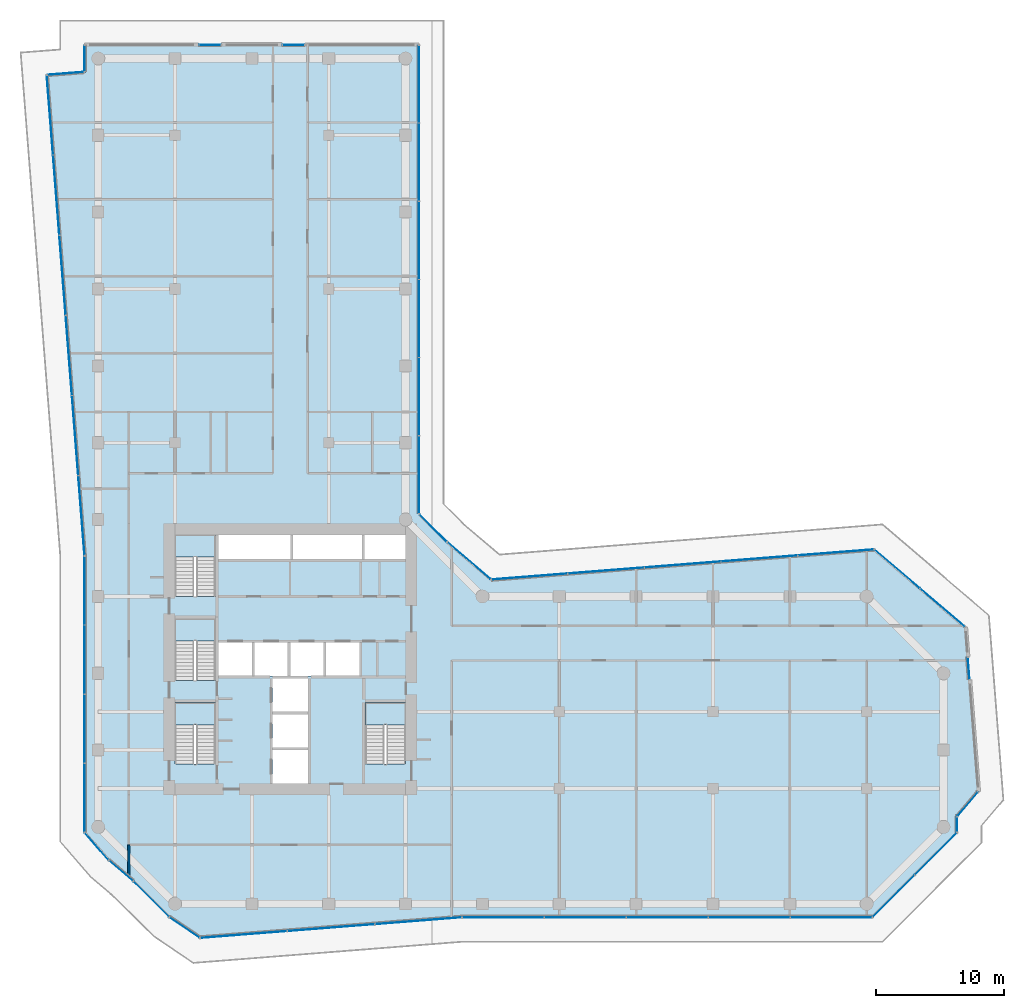
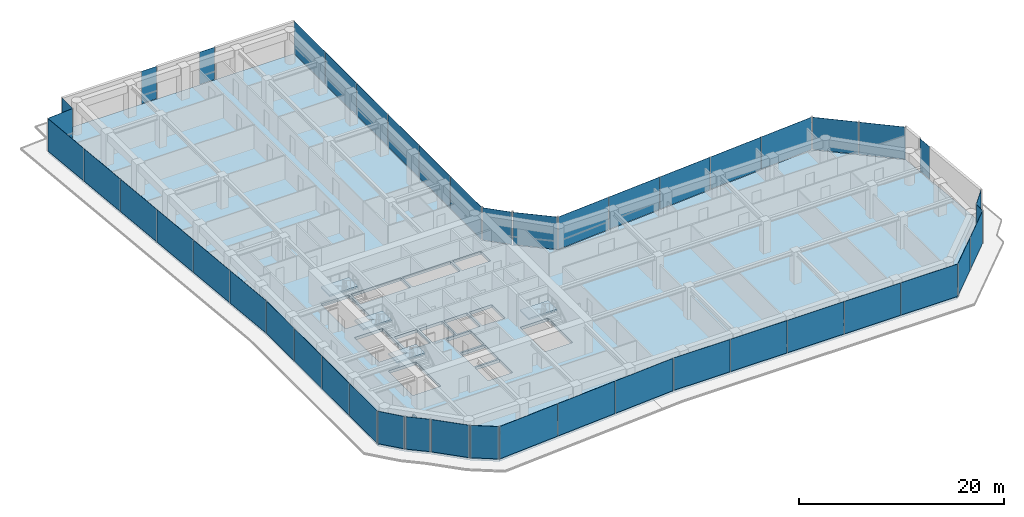
# One storey, part 21 of 28: 46 plates, 5 slabs, 1 wall, 25 elements without a shape of their own.
"""IFC4 building model written with IfcOpenShell, lengths in metres."""

import ifcopenshell
import ifcopenshell.guid

model = None  # the IFC model being written
_history = None  # IfcOwnerHistory: only IFC2X3 demands one
_inside = {}  # id of a spatial element -> (the spatial element, [elements in it])
_under = {}  # id of a project, library or spatial element -> (it, [spatial elements below it])
_declared = {}  # id of a project -> (the project, [libraries it declares])
_typed = {}  # id of a type object -> (the type object, [elements of that type])
_made_of = {}  # id of a material, layer set ... -> (it, [elements and type objects made of it])


def new_model(schema):
    """Start an empty IFC model of exactly this schema.

    Asked for "IFC4X3", IfcOpenShell would pick the latest addendum, in which some entities
    have other attributes; the version numbers below select the first issue.
    IFC2X3 requires an IfcOwnerHistory on every rooted entity: one is made here for all.
    """
    global model, _history
    if schema == "IFC4X3":
        model = ifcopenshell.file(schema_version=(4, 3, 0, 0))
    else:
        model = ifcopenshell.file(schema=schema)
    _inside.clear()
    _under.clear()
    _declared.clear()
    _typed.clear()
    _made_of.clear()
    _history = None
    if model.schema == "IFC2X3":
        org = make("IfcOrganization", Name="unknown")
        user = make(
            "IfcPersonAndOrganization",
            ThePerson=make("IfcPerson", FamilyName="unknown"),
            TheOrganization=org,
        )
        app = make(
            "IfcApplication",
            ApplicationDeveloper=org,
            Version="unknown",
            ApplicationFullName="unknown",
            ApplicationIdentifier="unknown",
        )
        _history = make(
            "IfcOwnerHistory",
            OwningUser=user,
            OwningApplication=app,
            ChangeAction="ADDED",
            CreationDate=0,
        )
    return model


def make(cls, **values):
    """One entity of the class cls with the attributes given. An attribute that is None is left unset."""
    return model.create_entity(
        cls, **{name: value for name, value in values.items() if value is not None}
    )


def rooted(cls, **values):
    """An entity with a GlobalId (a new one), such as an element, a storey or a relation."""
    return make(cls, GlobalId=ifcopenshell.guid.new(), OwnerHistory=_history, **values)


def si_unit(unit_type, name, prefix=None):
    """IfcSIUnit, for example si_unit("LENGTHUNIT", "METRE", prefix="MILLI")."""
    return make("IfcSIUnit", UnitType=unit_type, Prefix=prefix, Name=name)


def assignment(units):
    """IfcUnitAssignment: the units of a project."""
    return None if units is None else make("IfcUnitAssignment", Units=units)


def point(xyz):
    """IfcCartesianPoint."""
    return None if xyz is None else make("IfcCartesianPoint", Coordinates=xyz)


def direction(xyz):
    """IfcDirection."""
    return None if xyz is None else make("IfcDirection", DirectionRatios=xyz)


def frame(location, z_axis=None, x_axis=None):
    """IfcAxis2Placement3D, a coordinate frame: its origin and axes. An axis left out is left unset."""
    return make(
        "IfcAxis2Placement3D",
        Location=point(location),
        Axis=direction(z_axis),
        RefDirection=direction(x_axis),
    )


def frame_2d(location, x_axis=None):
    """IfcAxis2Placement2D, a coordinate frame in the plane: its origin and x axis."""
    return make(
        "IfcAxis2Placement2D", Location=point(location), RefDirection=direction(x_axis)
    )


def origin():
    """The frame at (0, 0, 0) with its axes left unset."""
    return frame((0.0, 0.0, 0.0))


def origin_2d():
    """The frame at (0, 0) in the plane with its x axis left unset."""
    return frame_2d((0.0, 0.0))


def place(relative_to, where):
    """IfcLocalPlacement: puts the frame where relative to a parent placement (None: the world)."""
    return make(
        "IfcLocalPlacement", PlacementRelTo=relative_to, RelativePlacement=where
    )


def context(
    kind, dimensions, precision=None, world=None, true_north=None, identifier=None
):
    """IfcGeometricRepresentationContext, for example the 3D "Model" context."""
    return make(
        "IfcGeometricRepresentationContext",
        ContextIdentifier=identifier,
        ContextType=kind,
        CoordinateSpaceDimension=dimensions,
        Precision=precision,
        WorldCoordinateSystem=world,
        TrueNorth=true_north,
    )


def subcontext(parent, identifier, kind, view, scale=None):
    """IfcGeometricRepresentationSubContext, for example "Body" below "Model"."""
    return make(
        "IfcGeometricRepresentationSubContext",
        ContextIdentifier=identifier,
        ContextType=kind,
        ParentContext=parent,
        TargetScale=scale,
        TargetView=view,
    )


def project(units=None, contexts=None):
    """IfcProject with its units and contexts."""
    return rooted(
        "IfcProject",
        Name="project",
        RepresentationContexts=contexts,
        UnitsInContext=assignment(units),
    )


def spatial(cls, under=None, at=None, **own):
    """A site, building, storey or space (cls), placed at a placement, below another one or the project."""
    s = rooted(cls, ObjectPlacement=at, **own)
    if under is not None:
        _under.setdefault(under.id(), (under, []))[1].append(s)
    return s


def polyline(points):
    """IfcPolyline through the points."""
    return make("IfcPolyline", Points=[point(p) for p in points])


def profile(cls, at=None, kind="AREA", **sizes):
    """A parametric profile (cls). Its sizes go by their IFC names, for example OverallWidth=200.0."""
    return make(cls, ProfileType=kind, Position=at, **sizes)


def rectangle(**sizes):
    """IfcRectangleProfileDef."""
    return profile("IfcRectangleProfileDef", **sizes)


def outline(outer, holes=None, kind="AREA"):
    """IfcArbitraryClosedProfileDef: a profile drawn as a closed curve; with holes, ...WithVoids."""
    if holes is None:
        return make("IfcArbitraryClosedProfileDef", ProfileType=kind, OuterCurve=outer)
    return make(
        "IfcArbitraryProfileDefWithVoids",
        ProfileType=kind,
        OuterCurve=outer,
        InnerCurves=holes,
    )


def extrude(swept, where, along, depth):
    """IfcExtrudedAreaSolid: the profile swept, set in the frame where, extruded along a direction by depth."""
    return make(
        "IfcExtrudedAreaSolid",
        SweptArea=swept,
        Position=where,
        ExtrudedDirection=direction(along),
        Depth=depth,
    )


def shape(context_of_items, identifier, shape_type, items):
    """IfcShapeRepresentation: the items that make up one representation, for example the "Body"."""
    return make(
        "IfcShapeRepresentation",
        ContextOfItems=context_of_items,
        RepresentationIdentifier=identifier,
        RepresentationType=shape_type,
        Items=items,
    )


def material(Name=None, Category=None):
    """IfcMaterial."""
    return make("IfcMaterial", Name=Name, Category=Category)


def layer(
    of_material, thickness, ventilated=None, Name=None, Category=None, Priority=None
):
    """IfcMaterialLayer: one layer of a wall or slab, of a material (None: an air gap)."""
    return make(
        "IfcMaterialLayer",
        Material=of_material,
        LayerThickness=thickness,
        IsVentilated=ventilated,
        Name=Name,
        Category=Category,
        Priority=Priority,
    )


def layer_set(layers, Name=None):
    """IfcMaterialLayerSet."""
    return make("IfcMaterialLayerSet", MaterialLayers=layers, LayerSetName=Name)


def made_of(thing, what):
    """Note that an element or type object is made of a material, layer set ...; save() writes the relation."""
    if what is not None:
        _made_of.setdefault(what.id(), (what, []))[1].append(thing)
    return thing


def type_object(cls, material=None, **own):
    """A type object (cls), such as IfcWallType, which elements share."""
    return made_of(rooted(cls, **own), material)


def element(
    cls,
    number,
    at=None,
    inside=None,
    cuts=None,
    type_object=None,
    material=None,
    context=None,
    identifier="Body",
    shape_type=None,
    held_by="IfcProductDefinitionShape",
    body=None,
    shapes=None,
    **own,
):
    """One element of the class cls, such as IfcWall. Its Tag is "e" and its number.

    at: its placement. inside: the storey or other place that contains it. cuts: it is an
    opening in that element (IfcRelVoidsElement). A single representation is given by context,
    identifier, shape_type and body (its items); several are given by shapes. held_by: the class
    of the entity that holds the representations. save() writes the other relations.
    """
    e = rooted(cls, Tag="e%d" % number, ObjectPlacement=at, **own)
    if body is not None:
        shapes = [shape(context, identifier, shape_type, body)]
    if shapes is not None:
        e.Representation = make(held_by, Representations=shapes)
    if inside is not None:
        _inside.setdefault(inside.id(), (inside, []))[1].append(e)
    if cuts is not None:
        rooted(
            "IfcRelVoidsElement", RelatingBuildingElement=cuts, RelatedOpeningElement=e
        )
    if type_object is not None:
        _typed.setdefault(type_object.id(), (type_object, []))[1].append(e)
    return made_of(e, material)


def aggregate(whole, parts):
    """IfcRelAggregates: a whole, such as a stair, and the parts it consists of."""
    return rooted("IfcRelAggregates", RelatingObject=whole, RelatedObjects=parts)


def save(model, path):
    """Write the relations noted so far, then the file.

    IfcRelAggregates (storeys below a building ...), IfcRelContainedInSpatialStructure (elements
    in a storey), IfcRelDefinesByType, IfcRelAssociatesMaterial and IfcRelDeclares: one each for
    every whole, place, type object, material and project.
    """
    for whole, parts in _under.values():
        aggregate(whole, parts)
    for where, things in _inside.values():
        rooted(
            "IfcRelContainedInSpatialStructure",
            RelatedElements=things,
            RelatingStructure=where,
        )
    for kind, things in _typed.values():
        rooted("IfcRelDefinesByType", RelatedObjects=things, RelatingType=kind)
    for what, things in _made_of.values():
        rooted("IfcRelAssociatesMaterial", RelatedObjects=things, RelatingMaterial=what)
    for by, libraries in _declared.values():
        rooted("IfcRelDeclares", RelatingContext=by, RelatedDefinitions=libraries)
    model.write(path)


model = new_model("IFC4")

# Units and contexts
model_context = context("Model", 3, precision=1e-05, world=origin(), true_north=direction((0.0, 1.0)))
body_context = subcontext(model_context, "Body", "Model", "MODEL_VIEW")
ifc_project = project(units=[si_unit("LENGTHUNIT", "METRE"), si_unit("AREAUNIT", "SQUARE_METRE"), si_unit("VOLUMEUNIT", "CUBIC_METRE"), si_unit("PLANEANGLEUNIT", "RADIAN"), si_unit("MASSUNIT", "GRAM", prefix="KILO")], contexts=[model_context])

# Site, building, storey
site_placement = place(None, origin())
site = spatial("IfcSite", under=ifc_project, at=site_placement, CompositionType="ELEMENT")
building_placement = place(site_placement, origin())
building = spatial("IfcBuilding", under=site, at=building_placement, Name="Welwitschia Terrace Campus", CompositionType="ELEMENT")
storey_placement = place(building_placement, frame((0.0, 0.0, 71.0)))
storey = spatial("IfcBuildingStorey", under=building, at=storey_placement, Name="L16", CompositionType="ELEMENT", Elevation=71.0)

# Curtain wall, plate
ifc_material_1 = material(Name="Bronze anodised aluminium", Category="aluminium")
ifc_layer_1 = layer(ifc_material_1, 0.1201171875)
ifc_layer_set_1 = layer_set([ifc_layer_1], Name="Bronze anodised aluminium")
curtain_wall_type = type_object("IfcCurtainWallType", Name="Curtain wall CW2 tower 6000", PredefinedType="NOTDEFINED", material=ifc_layer_set_1)
curtain_wall_1_placement = place(storey_placement, origin())
curtain_wall_1 = element("IfcCurtainWall", 1, at=curtain_wall_1_placement, inside=storey, type_object=curtain_wall_type, Name="CW L16.0.0", PredefinedType="NOTDEFINED")
ifc_material_2 = material(Name="Tinted bronze-grey glass", Category="glass")
ifc_layer_2 = layer(ifc_material_2, 0.028076171875)
ifc_layer_set_2 = layer_set([ifc_layer_2], Name="Tinted bronze-grey glass")
plate_type = type_object("IfcPlateType", Name="Glass panel 28 tinted", PredefinedType="CURTAIN_PANEL", material=ifc_layer_set_2)
plate_1_placement = place(storey_placement, frame((-0.115478515625, 0.480224609375, 0.0), z_axis=(0.0, 0.0, 1.0), x_axis=(0.6562447971, -0.754548054321, 0.0)))
plate_1 = element("IfcPlate", 2, at=plate_1_placement, type_object=plate_type, Name="Panel L16.0.0.0", PredefinedType="CURTAIN_PANEL", context=body_context, shape_type="SweptSolid", body=[
    extrude(rectangle(XDim=2.752685546875, YDim=0.028076171875, at=origin_2d()), origin(), (0.0, 0.0, 1.0), 3.85009765625),
])
aggregate(curtain_wall_1, [plate_1])

curtain_wall_2_placement = place(storey_placement, origin())
curtain_wall_2 = element("IfcCurtainWall", 3, at=curtain_wall_2_placement, inside=storey, type_object=curtain_wall_type, Name="CW L16.1.0", PredefinedType="NOTDEFINED")
plate_2_placement = place(storey_placement, frame((1.786865234375, -1.423095703125, 0.0), z_axis=(0.0, 0.0, 1.0), x_axis=(0.7604059656, -0.64944804833, 0.0)))
plate_2 = element("IfcPlate", 4, at=plate_2_placement, type_object=plate_type, Name="Panel L16.1.0.0", PredefinedType="CURTAIN_PANEL", context=body_context, shape_type="SweptSolid", body=[
    extrude(rectangle(XDim=2.404052734375, YDim=0.028076171875, at=origin_2d()), origin(), (0.0, 0.0, 1.0), 3.85009765625),
])
aggregate(curtain_wall_2, [plate_2])

curtain_wall_3_placement = place(storey_placement, origin())
curtain_wall_3 = element("IfcCurtainWall", 5, at=curtain_wall_3_placement, inside=storey, type_object=curtain_wall_type, Name="CW L16.2.0", PredefinedType="NOTDEFINED")
plate_3_placement = place(storey_placement, frame((4.1474609375, -3.643798828125, 0.0), z_axis=(0.0, 0.0, 1.0), x_axis=(0.707106781187, -0.707106781187, 0.0)))
plate_3 = element("IfcPlate", 6, at=plate_3_placement, type_object=plate_type, Name="Panel L16.2.0.0", PredefinedType="CURTAIN_PANEL", context=body_context, shape_type="SweptSolid", body=[
    extrude(rectangle(XDim=3.8427734375, YDim=0.028076171875, at=origin_2d()), origin(), (0.0, 0.0, 1.0), 3.85009765625),
])
aggregate(curtain_wall_3, [plate_3])

curtain_wall_4_placement = place(storey_placement, origin())
curtain_wall_4 = element("IfcCurtainWall", 7, at=curtain_wall_4_placement, inside=storey, type_object=curtain_wall_type, Name="CW L16.3.0", PredefinedType="NOTDEFINED")
plate_4_placement = place(storey_placement, frame((6.741455078125, -5.857666015625, 0.0), z_axis=(0.0, 0.0, 1.0), x_axis=(0.826429805713, -0.56303976434, 0.0)))
plate_4 = element("IfcPlate", 8, at=plate_4_placement, type_object=plate_type, Name="Panel L16.3.0.0", PredefinedType="CURTAIN_PANEL", context=body_context, shape_type="SweptSolid", body=[
    extrude(rectangle(XDim=2.76708984375, YDim=0.028076171875, at=origin_2d()), origin(), (0.0, 0.0, 1.0), 3.85009765625),
])
aggregate(curtain_wall_4, [plate_4])

# Curtain wall, plates
curtain_wall_5_placement = place(storey_placement, origin())
curtain_wall_5 = element("IfcCurtainWall", 9, at=curtain_wall_5_placement, inside=storey, type_object=curtain_wall_type, Name="CW L16.4.0", PredefinedType="NOTDEFINED")
plate_5_placement = place(storey_placement, frame((11.364013671875, -6.400390625, 0.0), z_axis=(0.0, 0.0, 1.0), x_axis=(0.996917333733, 0.078459095728, 0.0)))
plate_5 = element("IfcPlate", 10, at=plate_5_placement, type_object=plate_type, Name="Panel L16.4.0.0", PredefinedType="CURTAIN_PANEL", context=body_context, shape_type="SweptSolid", body=[
    extrude(rectangle(XDim=6.760009765625, YDim=0.028076171875, at=origin_2d()), origin(), (0.0, 0.0, 1.0), 3.85009765625),
])
plate_6_placement = place(storey_placement, frame((18.177978515625, -5.8642578125, 0.0), z_axis=(0.0, 0.0, 1.0), x_axis=(0.996917333733, 0.078459095728, 0.0)))
plate_6 = element("IfcPlate", 11, at=plate_6_placement, type_object=plate_type, Name="Panel L16.4.0.1", PredefinedType="CURTAIN_PANEL", context=body_context, shape_type="SweptSolid", body=[
    extrude(rectangle(XDim=6.7900390625, YDim=0.028076171875, at=origin_2d()), origin(), (0.0, 0.0, 1.0), 3.85009765625),
])
plate_7_placement = place(storey_placement, frame((24.991943359375, -5.327880859375, 0.0), z_axis=(0.0, 0.0, 1.0), x_axis=(0.996917333733, 0.078459095728, 0.0)))
plate_7 = element("IfcPlate", 12, at=plate_7_placement, type_object=plate_type, Name="Panel L16.4.0.2", PredefinedType="CURTAIN_PANEL", context=body_context, shape_type="SweptSolid", body=[
    extrude(rectangle(XDim=6.760009765625, YDim=0.028076171875, at=origin_2d()), origin(), (0.0, 0.0, 1.0), 3.85009765625),
])
aggregate(curtain_wall_5, [plate_5, plate_6, plate_7])

curtain_wall_6_placement = place(storey_placement, origin())
curtain_wall_6 = element("IfcCurtainWall", 13, at=curtain_wall_6_placement, inside=storey, type_object=curtain_wall_type, Name="CW L16.5.0", PredefinedType="NOTDEFINED")
plate_8_placement = place(storey_placement, frame((31.63818359375, -5.05810546875, 0.0), z_axis=(0.0, 0.0, 1.0), x_axis=(1.0, 0.0, 0.0)))
plate_8 = element("IfcPlate", 14, at=plate_8_placement, type_object=plate_type, Name="Panel L16.5.0.0", PredefinedType="CURTAIN_PANEL", context=body_context, shape_type="SweptSolid", body=[
    extrude(rectangle(XDim=6.3134765625, YDim=0.028076171875, at=origin_2d()), origin(), (0.0, 0.0, 1.0), 3.85009765625),
])
plate_9_placement = place(storey_placement, frame((38.0263671875, -5.05810546875, 0.0), z_axis=(0.0, 0.0, 1.0), x_axis=(1.0, 0.0, 0.0)))
plate_9 = element("IfcPlate", 15, at=plate_9_placement, type_object=plate_type, Name="Panel L16.5.0.1", PredefinedType="CURTAIN_PANEL", context=body_context, shape_type="SweptSolid", body=[
    extrude(rectangle(XDim=6.34326171875, YDim=0.028076171875, at=origin_2d()), origin(), (0.0, 0.0, 1.0), 3.85009765625),
])
plate_10_placement = place(storey_placement, frame((44.429931640625, -5.05810546875, 0.0), z_axis=(0.0, 0.0, 1.0), x_axis=(1.0, 0.0, 0.0)))
plate_10 = element("IfcPlate", 16, at=plate_10_placement, type_object=plate_type, Name="Panel L16.5.0.2", PredefinedType="CURTAIN_PANEL", context=body_context, shape_type="SweptSolid", body=[
    extrude(rectangle(XDim=6.34326171875, YDim=0.028076171875, at=origin_2d()), origin(), (0.0, 0.0, 1.0), 3.85009765625),
])
plate_11_placement = place(storey_placement, frame((50.833251953125, -5.05810546875, 0.0), z_axis=(0.0, 0.0, 1.0), x_axis=(1.0, 0.0, 0.0)))
plate_11 = element("IfcPlate", 17, at=plate_11_placement, type_object=plate_type, Name="Panel L16.5.0.3", PredefinedType="CURTAIN_PANEL", context=body_context, shape_type="SweptSolid", body=[
    extrude(rectangle(XDim=6.34326171875, YDim=0.028076171875, at=origin_2d()), origin(), (0.0, 0.0, 1.0), 3.85009765625),
])
plate_12_placement = place(storey_placement, frame((57.221435546875, -5.05810546875, 0.0), z_axis=(0.0, 0.0, 1.0), x_axis=(1.0, 0.0, 0.0)))
plate_12 = element("IfcPlate", 18, at=plate_12_placement, type_object=plate_type, Name="Panel L16.5.0.4", PredefinedType="CURTAIN_PANEL", context=body_context, shape_type="SweptSolid", body=[
    extrude(rectangle(XDim=6.3134765625, YDim=0.028076171875, at=origin_2d()), origin(), (0.0, 0.0, 1.0), 3.85009765625),
])
aggregate(curtain_wall_6, [plate_8, plate_9, plate_10, plate_11, plate_12])

curtain_wall_7_placement = place(storey_placement, origin())
curtain_wall_7 = element("IfcCurtainWall", 19, at=curtain_wall_7_placement, inside=storey, type_object=curtain_wall_type, Name="CW L16.6.0", PredefinedType="NOTDEFINED")
plate_13_placement = place(storey_placement, frame((62.103759765625, -3.392333984375, 0.0), z_axis=(0.0, 0.0, 1.0), x_axis=(0.707106781187, 0.707106781187, 0.0)))
plate_13 = element("IfcPlate", 20, at=plate_13_placement, type_object=plate_type, Name="Panel L16.6.0.0", PredefinedType="CURTAIN_PANEL", context=body_context, shape_type="SweptSolid", body=[
    extrude(rectangle(XDim=4.5908203125, YDim=0.028076171875, at=origin_2d()), origin(), (0.0, 0.0, 1.0), 3.85009765625),
])
plate_14_placement = place(storey_placement, frame((65.392333984375, -0.103759765625, 0.0), z_axis=(0.0, 0.0, 1.0), x_axis=(0.707106781187, 0.707106781187, 0.0)))
plate_14 = element("IfcPlate", 21, at=plate_14_placement, type_object=plate_type, Name="Panel L16.6.0.1", PredefinedType="CURTAIN_PANEL", context=body_context, shape_type="SweptSolid", body=[
    extrude(rectangle(XDim=4.5908203125, YDim=0.028076171875, at=origin_2d()), origin(), (0.0, 0.0, 1.0), 3.85009765625),
])
aggregate(curtain_wall_7, [plate_13, plate_14])

# Curtain wall, plate
curtain_wall_8_placement = place(storey_placement, origin())
curtain_wall_8 = element("IfcCurtainWall", 22, at=curtain_wall_8_placement, inside=storey, type_object=curtain_wall_type, Name="CW L16.7.0", PredefinedType="NOTDEFINED")
plate_15_placement = place(storey_placement, frame((67.05810546875, 2.185791015625, 0.0), z_axis=(0.0, 0.0, 1.0), x_axis=(0.0, 1.0, 0.0)))
plate_15 = element("IfcPlate", 23, at=plate_15_placement, type_object=plate_type, Name="Panel L16.7.0.0", PredefinedType="CURTAIN_PANEL", context=body_context, shape_type="SweptSolid", body=[
    extrude(rectangle(XDim=1.128173828125, YDim=0.028076171875, at=origin_2d()), origin(), (0.0, 0.0, 1.0), 3.85009765625),
])
aggregate(curtain_wall_8, [plate_15])

curtain_wall_9_placement = place(storey_placement, origin())
curtain_wall_9 = element("IfcCurtainWall", 24, at=curtain_wall_9_placement, inside=storey, type_object=curtain_wall_type, Name="CW L16.8.0", PredefinedType="NOTDEFINED")
plate_16_placement = place(storey_placement, frame((67.88818359375, 3.78173828125, 0.0), z_axis=(0.0, 0.0, 1.0), x_axis=(0.64944804833, 0.7604059656, 0.0)))
plate_16 = element("IfcPlate", 25, at=plate_16_placement, type_object=plate_type, Name="Panel L16.8.0.0", PredefinedType="CURTAIN_PANEL", context=body_context, shape_type="SweptSolid", body=[
    extrude(rectangle(XDim=2.436279296875, YDim=0.028076171875, at=origin_2d()), origin(), (0.0, 0.0, 1.0), 3.85009765625),
])
aggregate(curtain_wall_9, [plate_16])

curtain_wall_10_placement = place(storey_placement, origin())
curtain_wall_10 = element("IfcCurtainWall", 26, at=curtain_wall_10_placement, inside=storey, type_object=curtain_wall_type, Name="CW L16.9.S0", PredefinedType="NOTDEFINED")
plate_17_placement = place(storey_placement, frame((67.96044921875, 14.38134765625, 0.0), z_axis=(0.0, 0.0, 1.0), x_axis=(-0.078459095728, 0.996917333733, 0.0)))
plate_17 = element("IfcPlate", 27, at=plate_17_placement, type_object=plate_type, Name="Panel L16.9.S0.0", PredefinedType="CURTAIN_PANEL", context=body_context, shape_type="SweptSolid", body=[
    extrude(rectangle(XDim=1.679931640625, YDim=0.028076171875, at=origin_2d()), origin(), (0.0, 0.0, 1.0), 3.85009765625),
])
aggregate(curtain_wall_10, [plate_17])

# Curtain wall, plates
curtain_wall_11_placement = place(storey_placement, origin())
curtain_wall_11 = element("IfcCurtainWall", 28, at=curtain_wall_11_placement, inside=storey, type_object=curtain_wall_type, Name="CW L16.10.0", PredefinedType="NOTDEFINED")
plate_18_placement = place(storey_placement, frame((65.916748046875, 19.1201171875, 0.0), z_axis=(0.0, 0.0, 1.0), x_axis=(-0.7604059656, 0.64944804833, 0.0)))
plate_18 = element("IfcPlate", 29, at=plate_18_placement, type_object=plate_type, Name="Panel L16.10.0.0", PredefinedType="CURTAIN_PANEL", context=body_context, shape_type="SweptSolid", body=[
    extrude(rectangle(XDim=4.5908203125, YDim=0.028076171875, at=origin_2d()), origin(), (0.0, 0.0, 1.0), 3.85009765625),
])
plate_19_placement = place(storey_placement, frame((62.38037109375, 22.140625, 0.0), z_axis=(0.0, 0.0, 1.0), x_axis=(-0.7604059656, 0.64944804833, 0.0)))
plate_19 = element("IfcPlate", 30, at=plate_19_placement, type_object=plate_type, Name="Panel L16.10.0.1", PredefinedType="CURTAIN_PANEL", context=body_context, shape_type="SweptSolid", body=[
    extrude(rectangle(XDim=4.5908203125, YDim=0.028076171875, at=origin_2d()), origin(), (0.0, 0.0, 1.0), 3.85009765625),
])
aggregate(curtain_wall_11, [plate_18, plate_19])

curtain_wall_12_placement = place(storey_placement, origin())
curtain_wall_12 = element("IfcCurtainWall", 31, at=curtain_wall_12_placement, inside=storey, type_object=curtain_wall_type, Name="CW L16.11.0", PredefinedType="NOTDEFINED")
plate_20_placement = place(storey_placement, frame((57.58349609375, 23.433837890625, 0.0), z_axis=(0.0, 0.0, 1.0), x_axis=(-0.996917333733, -0.078459095728, 0.0)))
plate_20 = element("IfcPlate", 32, at=plate_20_placement, type_object=plate_type, Name="Panel L16.11.0.0", PredefinedType="CURTAIN_PANEL", context=body_context, shape_type="SweptSolid", body=[
    extrude(rectangle(XDim=5.909912109375, YDim=0.028076171875, at=origin_2d()), origin(), (0.0, 0.0, 1.0), 3.85009765625),
])
plate_21_placement = place(storey_placement, frame((51.616943359375, 22.96435546875, 0.0), z_axis=(0.0, 0.0, 1.0), x_axis=(-0.996917333733, -0.078459095728, 0.0)))
plate_21 = element("IfcPlate", 33, at=plate_21_placement, type_object=plate_type, Name="Panel L16.11.0.1", PredefinedType="CURTAIN_PANEL", context=body_context, shape_type="SweptSolid", body=[
    extrude(rectangle(XDim=5.93994140625, YDim=0.028076171875, at=origin_2d()), origin(), (0.0, 0.0, 1.0), 3.85009765625),
])
plate_22_placement = place(storey_placement, frame((45.635498046875, 22.493408203125, 0.0), z_axis=(0.0, 0.0, 1.0), x_axis=(-0.996917333733, -0.078459095728, 0.0)))
plate_22 = element("IfcPlate", 34, at=plate_22_placement, type_object=plate_type, Name="Panel L16.11.0.2", PredefinedType="CURTAIN_PANEL", context=body_context, shape_type="SweptSolid", body=[
    extrude(rectangle(XDim=5.93994140625, YDim=0.028076171875, at=origin_2d()), origin(), (0.0, 0.0, 1.0), 3.85009765625),
])
plate_23_placement = place(storey_placement, frame((39.65380859375, 22.022705078125, 0.0), z_axis=(0.0, 0.0, 1.0), x_axis=(-0.996917333733, -0.078459095728, 0.0)))
plate_23 = element("IfcPlate", 35, at=plate_23_placement, type_object=plate_type, Name="Panel L16.11.0.3", PredefinedType="CURTAIN_PANEL", context=body_context, shape_type="SweptSolid", body=[
    extrude(rectangle(XDim=5.93994140625, YDim=0.028076171875, at=origin_2d()), origin(), (0.0, 0.0, 1.0), 3.85009765625),
])
plate_24_placement = place(storey_placement, frame((33.687255859375, 21.55322265625, 0.0), z_axis=(0.0, 0.0, 1.0), x_axis=(-0.996917333733, -0.078459095728, 0.0)))
plate_24 = element("IfcPlate", 36, at=plate_24_placement, type_object=plate_type, Name="Panel L16.11.0.4", PredefinedType="CURTAIN_PANEL", context=body_context, shape_type="SweptSolid", body=[
    extrude(rectangle(XDim=5.909912109375, YDim=0.028076171875, at=origin_2d()), origin(), (0.0, 0.0, 1.0), 3.85009765625),
])
aggregate(curtain_wall_12, [plate_20, plate_21, plate_22, plate_23, plate_24])

# Curtain wall, plate
curtain_wall_13_placement = place(storey_placement, origin())
curtain_wall_13 = element("IfcCurtainWall", 37, at=curtain_wall_13_placement, inside=storey, type_object=curtain_wall_type, Name="CW L16.12.0", PredefinedType="NOTDEFINED")
plate_25_placement = place(storey_placement, frame((28.96142578125, 22.785888671875, 0.0), z_axis=(0.0, 0.0, 1.0), x_axis=(-0.7604059656, 0.64944804833, 0.0)))
plate_25 = element("IfcPlate", 38, at=plate_25_placement, type_object=plate_type, Name="Panel L16.12.0.0", PredefinedType="CURTAIN_PANEL", context=body_context, shape_type="SweptSolid", body=[
    extrude(rectangle(XDim=4.40478515625, YDim=0.028076171875, at=origin_2d()), origin(), (0.0, 0.0, 1.0), 3.85009765625),
])
aggregate(curtain_wall_13, [plate_25])

curtain_wall_14_placement = place(storey_placement, origin())
curtain_wall_14 = element("IfcCurtainWall", 39, at=curtain_wall_14_placement, inside=storey, type_object=curtain_wall_type, Name="CW L16.13.0", PredefinedType="NOTDEFINED")
plate_26_placement = place(storey_placement, frame((26.1494140625, 25.3466796875, 0.0), z_axis=(0.0, 0.0, 1.0), x_axis=(-0.707106781187, 0.707106781187, 0.0)))
plate_26 = element("IfcPlate", 40, at=plate_26_placement, type_object=plate_type, Name="Panel L16.13.0.0", PredefinedType="CURTAIN_PANEL", context=body_context, shape_type="SweptSolid", body=[
    extrude(rectangle(XDim=2.967041015625, YDim=0.028076171875, at=origin_2d()), origin(), (0.0, 0.0, 1.0), 3.85009765625),
])
aggregate(curtain_wall_14, [plate_26])

# Curtain wall, plates
curtain_wall_15_placement = place(storey_placement, origin())
curtain_wall_15 = element("IfcCurtainWall", 41, at=curtain_wall_15_placement, inside=storey, type_object=curtain_wall_type, Name="CW L16.14.0", PredefinedType="NOTDEFINED")
plate_27_placement = place(storey_placement, frame((25.05810546875, 29.5048828125, 0.0), z_axis=(0.0, 0.0, 1.0), x_axis=(0.0, 1.0, 0.0)))
plate_27 = element("IfcPlate", 42, at=plate_27_placement, type_object=plate_type, Name="Panel L16.14.0.0", PredefinedType="CURTAIN_PANEL", context=body_context, shape_type="SweptSolid", body=[
    extrude(rectangle(XDim=6.01318359375, YDim=0.028076171875, at=origin_2d()), origin(), (0.0, 0.0, 1.0), 3.85009765625),
])
plate_28_placement = place(storey_placement, frame((25.05810546875, 35.59326171875, 0.0), z_axis=(0.0, 0.0, 1.0), x_axis=(0.0, 1.0, 0.0)))
plate_28 = element("IfcPlate", 43, at=plate_28_placement, type_object=plate_type, Name="Panel L16.14.0.1", PredefinedType="CURTAIN_PANEL", context=body_context, shape_type="SweptSolid", body=[
    extrude(rectangle(XDim=6.043212890625, YDim=0.028076171875, at=origin_2d()), origin(), (0.0, 0.0, 1.0), 3.85009765625),
])
plate_29_placement = place(storey_placement, frame((25.05810546875, 41.696533203125, 0.0), z_axis=(0.0, 0.0, 1.0), x_axis=(0.0, 1.0, 0.0)))
plate_29 = element("IfcPlate", 44, at=plate_29_placement, type_object=plate_type, Name="Panel L16.14.0.2", PredefinedType="CURTAIN_PANEL", context=body_context, shape_type="SweptSolid", body=[
    extrude(rectangle(XDim=6.043212890625, YDim=0.028076171875, at=origin_2d()), origin(), (0.0, 0.0, 1.0), 3.85009765625),
])
plate_30_placement = place(storey_placement, frame((25.05810546875, 47.7998046875, 0.0), z_axis=(0.0, 0.0, 1.0), x_axis=(0.0, 1.0, 0.0)))
plate_30 = element("IfcPlate", 45, at=plate_30_placement, type_object=plate_type, Name="Panel L16.14.0.3", PredefinedType="CURTAIN_PANEL", context=body_context, shape_type="SweptSolid", body=[
    extrude(rectangle(XDim=6.043212890625, YDim=0.028076171875, at=origin_2d()), origin(), (0.0, 0.0, 1.0), 3.85009765625),
])
plate_31_placement = place(storey_placement, frame((25.05810546875, 53.903076171875, 0.0), z_axis=(0.0, 0.0, 1.0), x_axis=(0.0, 1.0, 0.0)))
plate_31 = element("IfcPlate", 46, at=plate_31_placement, type_object=plate_type, Name="Panel L16.14.0.4", PredefinedType="CURTAIN_PANEL", context=body_context, shape_type="SweptSolid", body=[
    extrude(rectangle(XDim=6.043212890625, YDim=0.028076171875, at=origin_2d()), origin(), (0.0, 0.0, 1.0), 3.85009765625),
])
plate_32_placement = place(storey_placement, frame((25.05810546875, 59.991455078125, 0.0), z_axis=(0.0, 0.0, 1.0), x_axis=(0.0, 1.0, 0.0)))
plate_32 = element("IfcPlate", 47, at=plate_32_placement, type_object=plate_type, Name="Panel L16.14.0.5", PredefinedType="CURTAIN_PANEL", context=body_context, shape_type="SweptSolid", body=[
    extrude(rectangle(XDim=6.01318359375, YDim=0.028076171875, at=origin_2d()), origin(), (0.0, 0.0, 1.0), 3.85009765625),
])
aggregate(curtain_wall_15, [plate_27, plate_28, plate_29, plate_30, plate_31, plate_32])

# Curtain wall, plate
curtain_wall_16_placement = place(storey_placement, origin())
curtain_wall_16 = element("IfcCurtainWall", 48, at=curtain_wall_16_placement, inside=storey, type_object=curtain_wall_type, Name="CW L16.15.S0", PredefinedType="NOTDEFINED")
plate_33_placement = place(storey_placement, frame((15.264404296875, 63.05810546875, 0.0), z_axis=(0.0, 0.0, 1.0), x_axis=(-1.0, 0.0, 0.0)))
plate_33 = element("IfcPlate", 49, at=plate_33_placement, type_object=plate_type, Name="Panel L16.15.S0.0", PredefinedType="CURTAIN_PANEL", context=body_context, shape_type="SweptSolid", body=[
    extrude(rectangle(XDim=1.679931640625, YDim=0.028076171875, at=origin_2d()), origin(), (0.0, 0.0, 1.0), 3.85009765625),
])
aggregate(curtain_wall_16, [plate_33])

curtain_wall_17_placement = place(storey_placement, origin())
curtain_wall_17 = element("IfcCurtainWall", 50, at=curtain_wall_17_placement, inside=storey, type_object=curtain_wall_type, Name="CW L16.15.S1", PredefinedType="NOTDEFINED")
plate_34_placement = place(storey_placement, frame((8.735595703125, 63.05810546875, 0.0), z_axis=(0.0, 0.0, 1.0), x_axis=(-1.0, 0.0, 0.0)))
plate_34 = element("IfcPlate", 51, at=plate_34_placement, type_object=plate_type, Name="Panel L16.15.S1.0", PredefinedType="CURTAIN_PANEL", context=body_context, shape_type="SweptSolid", body=[
    extrude(rectangle(XDim=1.679931640625, YDim=0.028076171875, at=origin_2d()), origin(), (0.0, 0.0, 1.0), 3.85009765625),
])
aggregate(curtain_wall_17, [plate_34])

curtain_wall_18_placement = place(storey_placement, origin())
curtain_wall_18 = element("IfcCurtainWall", 52, at=curtain_wall_18_placement, inside=storey, type_object=curtain_wall_type, Name="CW L16.16.0", PredefinedType="NOTDEFINED")
plate_35_placement = place(storey_placement, frame((-1.05810546875, 62.003173828125, 0.0), z_axis=(0.0, 0.0, 1.0), x_axis=(0.0, -1.0, 0.0)))
plate_35 = element("IfcPlate", 53, at=plate_35_placement, type_object=plate_type, Name="Panel L16.16.0.0", PredefinedType="CURTAIN_PANEL", context=body_context, shape_type="SweptSolid", body=[
    extrude(rectangle(XDim=1.989501953125, YDim=0.028076171875, at=origin_2d()), origin(), (0.0, 0.0, 1.0), 3.85009765625),
])
aggregate(curtain_wall_18, [plate_35])

curtain_wall_19_placement = place(storey_placement, origin())
curtain_wall_19 = element("IfcCurtainWall", 54, at=curtain_wall_19_placement, inside=storey, type_object=curtain_wall_type, Name="CW L16.17.0", PredefinedType="NOTDEFINED")
plate_36_placement = place(storey_placement, frame((-2.535400390625, 60.832275390625, 0.0), z_axis=(0.0, 0.0, 1.0), x_axis=(-0.996917333733, -0.078459095728, 0.0)))
plate_36 = element("IfcPlate", 55, at=plate_36_placement, type_object=plate_type, Name="Panel L16.17.0.0", PredefinedType="CURTAIN_PANEL", context=body_context, shape_type="SweptSolid", body=[
    extrude(rectangle(XDim=2.843994140625, YDim=0.028076171875, at=origin_2d()), origin(), (0.0, 0.0, 1.0), 3.85009765625),
])
aggregate(curtain_wall_19, [plate_36])

# Curtain wall, plates
curtain_wall_20_placement = place(storey_placement, origin())
curtain_wall_20 = element("IfcCurtainWall", 56, at=curtain_wall_20_placement, inside=storey, type_object=curtain_wall_type, Name="CW L16.18.0", PredefinedType="NOTDEFINED")
plate_37_placement = place(storey_placement, frame((-3.765380859375, 57.572509765625, 0.0), z_axis=(0.0, 0.0, 1.0), x_axis=(0.078459095728, -0.996917333733, 0.0)))
plate_37 = element("IfcPlate", 57, at=plate_37_placement, type_object=plate_type, Name="Panel L16.18.0.0", PredefinedType="CURTAIN_PANEL", context=body_context, shape_type="SweptSolid", body=[
    extrude(rectangle(XDim=6.186767578125, YDim=0.028076171875, at=origin_2d()), origin(), (0.0, 0.0, 1.0), 3.85009765625),
])
plate_38_placement = place(storey_placement, frame((-3.274169921875, 51.330078125, 0.0), z_axis=(0.0, 0.0, 1.0), x_axis=(0.078459095728, -0.996917333733, 0.0)))
plate_38 = element("IfcPlate", 58, at=plate_38_placement, type_object=plate_type, Name="Panel L16.18.0.1", PredefinedType="CURTAIN_PANEL", context=body_context, shape_type="SweptSolid", body=[
    extrude(rectangle(XDim=6.216552734375, YDim=0.028076171875, at=origin_2d()), origin(), (0.0, 0.0, 1.0), 3.85009765625),
])
plate_39_placement = place(storey_placement, frame((-2.781494140625, 45.07275390625, 0.0), z_axis=(0.0, 0.0, 1.0), x_axis=(0.078459095728, -0.996917333733, 0.0)))
plate_39 = element("IfcPlate", 59, at=plate_39_placement, type_object=plate_type, Name="Panel L16.18.0.2", PredefinedType="CURTAIN_PANEL", context=body_context, shape_type="SweptSolid", body=[
    extrude(rectangle(XDim=6.216552734375, YDim=0.028076171875, at=origin_2d()), origin(), (0.0, 0.0, 1.0), 3.85009765625),
])
plate_40_placement = place(storey_placement, frame((-2.2890625, 38.8154296875, 0.0), z_axis=(0.0, 0.0, 1.0), x_axis=(0.078459095728, -0.996917333733, 0.0)))
plate_40 = element("IfcPlate", 60, at=plate_40_placement, type_object=plate_type, Name="Panel L16.18.0.3", PredefinedType="CURTAIN_PANEL", context=body_context, shape_type="SweptSolid", body=[
    extrude(rectangle(XDim=6.216552734375, YDim=0.028076171875, at=origin_2d()), origin(), (0.0, 0.0, 1.0), 3.85009765625),
])
plate_41_placement = place(storey_placement, frame((-1.796630859375, 32.55810546875, 0.0), z_axis=(0.0, 0.0, 1.0), x_axis=(0.078459095728, -0.996917333733, 0.0)))
plate_41 = element("IfcPlate", 61, at=plate_41_placement, type_object=plate_type, Name="Panel L16.18.0.4", PredefinedType="CURTAIN_PANEL", context=body_context, shape_type="SweptSolid", body=[
    extrude(rectangle(XDim=6.216552734375, YDim=0.028076171875, at=origin_2d()), origin(), (0.0, 0.0, 1.0), 3.85009765625),
])
plate_42_placement = place(storey_placement, frame((-1.305419921875, 26.315673828125, 0.0), z_axis=(0.0, 0.0, 1.0), x_axis=(0.078459095728, -0.996917333733, 0.0)))
plate_42 = element("IfcPlate", 62, at=plate_42_placement, type_object=plate_type, Name="Panel L16.18.0.5", PredefinedType="CURTAIN_PANEL", context=body_context, shape_type="SweptSolid", body=[
    extrude(rectangle(XDim=6.186767578125, YDim=0.028076171875, at=origin_2d()), origin(), (0.0, 0.0, 1.0), 3.85009765625),
])
aggregate(curtain_wall_20, [plate_37, plate_38, plate_39, plate_40, plate_41, plate_42])

curtain_wall_21_placement = place(storey_placement, origin())
curtain_wall_21 = element("IfcCurtainWall", 63, at=curtain_wall_21_placement, inside=storey, type_object=curtain_wall_type, Name="CW L16.19.0", PredefinedType="NOTDEFINED")
plate_43_placement = place(storey_placement, frame((-1.05810546875, 20.4560546875, 0.0), z_axis=(0.0, 0.0, 1.0), x_axis=(0.0, -1.0, 0.0)))
plate_43 = element("IfcPlate", 64, at=plate_43_placement, type_object=plate_type, Name="Panel L16.19.0.0", PredefinedType="CURTAIN_PANEL", context=body_context, shape_type="SweptSolid", body=[
    extrude(rectangle(XDim=5.31201171875, YDim=0.028076171875, at=origin_2d()), origin(), (0.0, 0.0, 1.0), 3.85009765625),
])
plate_44_placement = place(storey_placement, frame((-1.05810546875, 15.069091796875, 0.0), z_axis=(0.0, 0.0, 1.0), x_axis=(0.0, -1.0, 0.0)))
plate_44 = element("IfcPlate", 65, at=plate_44_placement, type_object=plate_type, Name="Panel L16.19.0.1", PredefinedType="CURTAIN_PANEL", context=body_context, shape_type="SweptSolid", body=[
    extrude(rectangle(XDim=5.342041015625, YDim=0.028076171875, at=origin_2d()), origin(), (0.0, 0.0, 1.0), 3.85009765625),
])
plate_45_placement = place(storey_placement, frame((-1.05810546875, 9.6669921875, 0.0), z_axis=(0.0, 0.0, 1.0), x_axis=(0.0, -1.0, 0.0)))
plate_45 = element("IfcPlate", 66, at=plate_45_placement, type_object=plate_type, Name="Panel L16.19.0.2", PredefinedType="CURTAIN_PANEL", context=body_context, shape_type="SweptSolid", body=[
    extrude(rectangle(XDim=5.342041015625, YDim=0.028076171875, at=origin_2d()), origin(), (0.0, 0.0, 1.0), 3.85009765625),
])
plate_46_placement = place(storey_placement, frame((-1.05810546875, 4.280029296875, 0.0), z_axis=(0.0, 0.0, 1.0), x_axis=(0.0, -1.0, 0.0)))
plate_46 = element("IfcPlate", 67, at=plate_46_placement, type_object=plate_type, Name="Panel L16.19.0.3", PredefinedType="CURTAIN_PANEL", context=body_context, shape_type="SweptSolid", body=[
    extrude(rectangle(XDim=5.31201171875, YDim=0.028076171875, at=origin_2d()), origin(), (0.0, 0.0, 1.0), 3.85009765625),
])
aggregate(curtain_wall_21, [plate_43, plate_44, plate_45, plate_46])

# Stair, slab
ifc_material_3 = material(Name="Concrete C40/50", Category="concrete")
stair_type = type_object("IfcStairType", Name="Stair 24R 175 W1500", PredefinedType="HALF_TURN_STAIR", material=ifc_material_3)
stair_1_placement = place(storey_placement, origin())
stair_1 = element("IfcStair", 68, at=stair_1_placement, inside=storey, type_object=stair_type, Name="L16 Exit stair S1", PredefinedType="HALF_TURN_STAIR")
ifc_material_4 = material(Name="Concrete C40/50", Category="concrete")
ifc_layer_3 = layer(ifc_material_4, 0.199951171875)
ifc_layer_set_3 = layer_set([ifc_layer_3], Name="Concrete C40/50")
slab_type_1 = type_object("IfcSlabType", Name="Stair landing RC", PredefinedType="LANDING", material=ifc_layer_set_3)
slab_1_placement = place(storey_placement, frame((0.0, 0.0, 1.89990234375)))
slab_1 = element("IfcSlab", 69, at=slab_1_placement, type_object=slab_type_1, Name="S1 landing 1", PredefinedType="LANDING", context=body_context, shape_type="SweptSolid", body=[
    extrude(outline(polyline([(9.14990234375, 9.97998046875), (9.14990234375, 11.699951171875), (6.0, 11.699951171875), (6.0, 9.97998046875), (9.14990234375, 9.97998046875)])), origin(), (0.0, 0.0, 1.0), 0.2001953125),
])
aggregate(stair_1, [slab_1])

stair_2_placement = place(storey_placement, origin())
stair_2 = element("IfcStair", 70, at=stair_2_placement, inside=storey, type_object=stair_type, Name="L16 Exit stair S3", PredefinedType="HALF_TURN_STAIR")
slab_2_placement = place(storey_placement, frame((0.0, 0.0, 1.89990234375)))
slab_2 = element("IfcSlab", 71, at=slab_2_placement, type_object=slab_type_1, Name="S3 landing 1", PredefinedType="LANDING", context=body_context, shape_type="SweptSolid", body=[
    extrude(outline(polyline([(9.14990234375, 16.530029296875), (9.14990234375, 18.25), (6.0, 18.25), (6.0, 16.530029296875), (9.14990234375, 16.530029296875)])), origin(), (0.0, 0.0, 1.0), 0.2001953125),
])
aggregate(stair_2, [slab_2])

stair_3_placement = place(storey_placement, origin())
stair_3 = element("IfcStair", 72, at=stair_3_placement, inside=storey, type_object=stair_type, Name="L16 Exit stair S4", PredefinedType="HALF_TURN_STAIR")
slab_3_placement = place(storey_placement, frame((0.0, 0.0, 1.89990234375)))
slab_3 = element("IfcSlab", 73, at=slab_3_placement, type_object=slab_type_1, Name="S4 landing 1", PredefinedType="LANDING", context=body_context, shape_type="SweptSolid", body=[
    extrude(outline(polyline([(9.14990234375, 23.080078125), (9.14990234375, 24.800048828125), (6.0, 24.800048828125), (6.0, 23.080078125), (9.14990234375, 23.080078125)])), origin(), (0.0, 0.0, 1.0), 0.2001953125),
])
aggregate(stair_3, [slab_3])

stair_4_placement = place(storey_placement, origin())
stair_4 = element("IfcStair", 74, at=stair_4_placement, inside=storey, type_object=stair_type, Name="L16 Exit stair S2", PredefinedType="HALF_TURN_STAIR")
slab_4_placement = place(storey_placement, frame((0.0, 0.0, 1.89990234375)))
slab_4 = element("IfcSlab", 75, at=slab_4_placement, type_object=slab_type_1, Name="S2 landing 1", PredefinedType="LANDING", context=body_context, shape_type="SweptSolid", body=[
    extrude(outline(polyline([(24.0, 9.97998046875), (24.0, 11.699951171875), (20.85009765625, 11.699951171875), (20.85009765625, 9.97998046875), (24.0, 9.97998046875)])), origin(), (0.0, 0.0, 1.0), 0.2001953125),
])
aggregate(stair_4, [slab_4])

# Slab
ifc_material_5 = material(Name="Concrete C40/50", Category="concrete")
ifc_layer_4 = layer(ifc_material_5, 0.35009765625)
ifc_layer_set_4 = layer_set([ifc_layer_4], Name="Concrete C40/50")
slab_type_2 = type_object("IfcSlabType", Name="Suspended floor slab 350", PredefinedType="FLOOR", material=ifc_layer_set_4)
slab_5_placement = place(storey_placement, frame((0.0, 0.0, -0.35009765625)))
element("IfcSlab", 76, at=slab_5_placement, inside=storey, type_object=slab_type_2, Name="Floor slab L16", PredefinedType="FLOOR", context=body_context, shape_type="SweptSolid", body=[
    extrude(outline(polyline([(-1.0, 23.17431640625), (-3.950439453125, 60.662841796875), (-1.0, 60.89501953125), (-1.0, 63.0), (25.0, 63.0), (25.0, 26.414306640625), (27.20166015625, 24.212646484375), (30.662353515625, 21.2568359375), (60.56982421875, 23.610595703125), (67.652099609375, 17.56201171875), (68.658447265625, 4.77294921875), (67.0, 2.831298828125), (67.0, 1.585693359375), (60.414306640625, -5.0), (28.419189453125, -5.0), (7.9501953125, -6.61083984375), (5.585693359375, -5.0), (2.785888671875, -2.199951171875), (0.8681640625, -0.562255859375), (-1.0, 1.585693359375), (-1.0, 23.17431640625)]), holes=[polyline([(13.60009765625, 8.0), (13.60009765625, 5.39990234375), (16.39990234375, 5.39990234375), (16.39990234375, 8.0), (13.60009765625, 8.0)]), polyline([(9.14990234375, 11.699951171875), (6.0, 11.699951171875), (6.0, 6.902099609375), (9.14990234375, 6.902099609375), (9.14990234375, 11.699951171875)]), polyline([(12.0, 16.39990234375), (9.39990234375, 16.39990234375), (9.39990234375, 13.800048828125), (12.0, 13.800048828125), (12.0, 16.39990234375)]), polyline([(14.800048828125, 16.39990234375), (12.199951171875, 16.39990234375), (12.199951171875, 13.800048828125), (14.800048828125, 13.800048828125), (14.800048828125, 16.39990234375)]), polyline([(9.14990234375, 18.25), (6.0, 18.25), (6.0, 13.451904296875), (9.14990234375, 13.451904296875), (9.14990234375, 18.25)]), polyline([(9.14990234375, 24.800048828125), (6.0, 24.800048828125), (6.0, 20.001953125), (9.14990234375, 20.001953125), (9.14990234375, 24.800048828125)]), polyline([(15.0, 24.800048828125), (9.39990234375, 24.800048828125), (9.39990234375, 22.89990234375), (15.0, 22.89990234375), (15.0, 24.800048828125)]), polyline([(20.85009765625, 11.699951171875), (20.85009765625, 6.902099609375), (24.0, 6.902099609375), (24.0, 11.699951171875), (20.85009765625, 11.699951171875)]), polyline([(16.39990234375, 10.800048828125), (13.60009765625, 10.800048828125), (13.60009765625, 8.199951171875), (16.39990234375, 8.199951171875), (16.39990234375, 10.800048828125)]), polyline([(16.39990234375, 13.60009765625), (13.60009765625, 13.60009765625), (13.60009765625, 11.0), (16.39990234375, 11.0), (16.39990234375, 13.60009765625)]), polyline([(17.60009765625, 16.39990234375), (15.0, 16.39990234375), (15.0, 13.800048828125), (17.60009765625, 13.800048828125), (17.60009765625, 16.39990234375)]), polyline([(20.39990234375, 16.39990234375), (17.800048828125, 16.39990234375), (17.800048828125, 13.800048828125), (20.39990234375, 13.800048828125), (20.39990234375, 16.39990234375)]), polyline([(20.60009765625, 24.800048828125), (15.199951171875, 24.800048828125), (15.199951171875, 22.89990234375), (20.60009765625, 22.89990234375), (20.60009765625, 24.800048828125)]), polyline([(24.0, 24.800048828125), (20.800048828125, 24.800048828125), (20.800048828125, 22.89990234375), (24.0, 22.89990234375), (24.0, 24.800048828125)])]), origin(), (0.0, 0.0, 1.0), 0.35009765625),
])

# Wall
ifc_material_6 = material(Name="Gypsum board on steel studs", Category="steel")
ifc_layer_5 = layer(ifc_material_6, 0.14990234375)
ifc_layer_set_5 = layer_set([ifc_layer_5], Name="Gypsum board on steel studs")
wall_type = type_object("IfcWallType", Name="Corridor partition 150 EI 30", PredefinedType="PARTITIONING", material=ifc_layer_set_5)
wall_placement = place(storey_placement, frame((2.39990234375, -1.8798828125, 0.0), z_axis=(0.0, 0.0, 1.0), x_axis=(0.0, 1.0, 0.0)))
element("IfcWall", 77, at=wall_placement, inside=storey, type_object=wall_type, Name="Partition", PredefinedType="PARTITIONING", context=body_context, shape_type="SweptSolid", body=[
    extrude(rectangle(XDim=2.47998046875, YDim=0.14990234375, at=frame_2d((1.239990234375, 0.0))), origin(), (0.0, 0.0, 1.0), 2.830078125),
])

save(model, "model.ifc")
